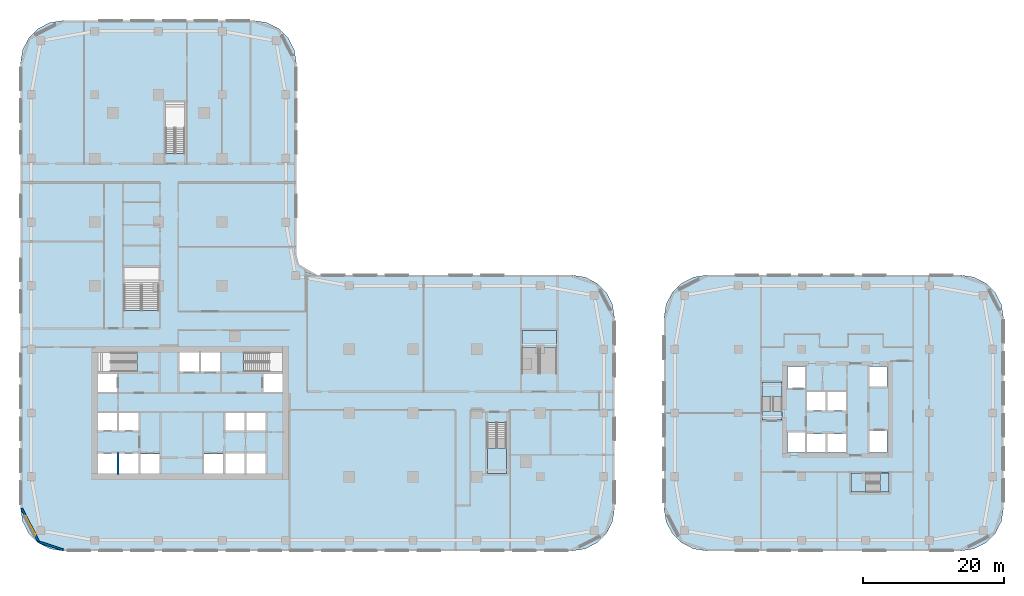
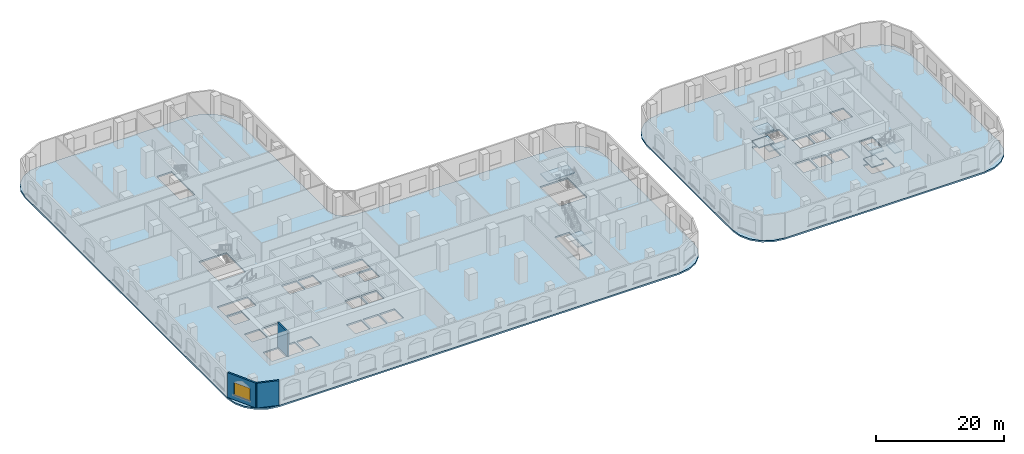
# One storey, part 2 of 31: 10 slabs, 3 walls, 1 window, 1 opening, 4 elements without a shape of their own.
"""IFC4 building model written with IfcOpenShell, lengths in metres."""

import ifcopenshell
import ifcopenshell.guid

model = None  # the IFC model being written
_history = None  # IfcOwnerHistory: only IFC2X3 demands one
_inside = {}  # id of a spatial element -> (the spatial element, [elements in it])
_under = {}  # id of a project, library or spatial element -> (it, [spatial elements below it])
_declared = {}  # id of a project -> (the project, [libraries it declares])
_typed = {}  # id of a type object -> (the type object, [elements of that type])
_made_of = {}  # id of a material, layer set ... -> (it, [elements and type objects made of it])


def new_model(schema):
    """Start an empty IFC model of exactly this schema.

    Asked for "IFC4X3", IfcOpenShell would pick the latest addendum, in which some entities
    have other attributes; the version numbers below select the first issue.
    IFC2X3 requires an IfcOwnerHistory on every rooted entity: one is made here for all.
    """
    global model, _history
    if schema == "IFC4X3":
        model = ifcopenshell.file(schema_version=(4, 3, 0, 0))
    else:
        model = ifcopenshell.file(schema=schema)
    _inside.clear()
    _under.clear()
    _declared.clear()
    _typed.clear()
    _made_of.clear()
    _history = None
    if model.schema == "IFC2X3":
        org = make("IfcOrganization", Name="unknown")
        user = make(
            "IfcPersonAndOrganization",
            ThePerson=make("IfcPerson", FamilyName="unknown"),
            TheOrganization=org,
        )
        app = make(
            "IfcApplication",
            ApplicationDeveloper=org,
            Version="unknown",
            ApplicationFullName="unknown",
            ApplicationIdentifier="unknown",
        )
        _history = make(
            "IfcOwnerHistory",
            OwningUser=user,
            OwningApplication=app,
            ChangeAction="ADDED",
            CreationDate=0,
        )
    return model


def make(cls, **values):
    """One entity of the class cls with the attributes given. An attribute that is None is left unset."""
    return model.create_entity(
        cls, **{name: value for name, value in values.items() if value is not None}
    )


def rooted(cls, **values):
    """An entity with a GlobalId (a new one), such as an element, a storey or a relation."""
    return make(cls, GlobalId=ifcopenshell.guid.new(), OwnerHistory=_history, **values)


def si_unit(unit_type, name, prefix=None):
    """IfcSIUnit, for example si_unit("LENGTHUNIT", "METRE", prefix="MILLI")."""
    return make("IfcSIUnit", UnitType=unit_type, Prefix=prefix, Name=name)


def assignment(units):
    """IfcUnitAssignment: the units of a project."""
    return None if units is None else make("IfcUnitAssignment", Units=units)


def point(xyz):
    """IfcCartesianPoint."""
    return None if xyz is None else make("IfcCartesianPoint", Coordinates=xyz)


def direction(xyz):
    """IfcDirection."""
    return None if xyz is None else make("IfcDirection", DirectionRatios=xyz)


def frame(location, z_axis=None, x_axis=None):
    """IfcAxis2Placement3D, a coordinate frame: its origin and axes. An axis left out is left unset."""
    return make(
        "IfcAxis2Placement3D",
        Location=point(location),
        Axis=direction(z_axis),
        RefDirection=direction(x_axis),
    )


def frame_2d(location, x_axis=None):
    """IfcAxis2Placement2D, a coordinate frame in the plane: its origin and x axis."""
    return make(
        "IfcAxis2Placement2D", Location=point(location), RefDirection=direction(x_axis)
    )


def origin():
    """The frame at (0, 0, 0) with its axes left unset."""
    return frame((0.0, 0.0, 0.0))


def place(relative_to, where):
    """IfcLocalPlacement: puts the frame where relative to a parent placement (None: the world)."""
    return make(
        "IfcLocalPlacement", PlacementRelTo=relative_to, RelativePlacement=where
    )


def context(
    kind, dimensions, precision=None, world=None, true_north=None, identifier=None
):
    """IfcGeometricRepresentationContext, for example the 3D "Model" context."""
    return make(
        "IfcGeometricRepresentationContext",
        ContextIdentifier=identifier,
        ContextType=kind,
        CoordinateSpaceDimension=dimensions,
        Precision=precision,
        WorldCoordinateSystem=world,
        TrueNorth=true_north,
    )


def subcontext(parent, identifier, kind, view, scale=None):
    """IfcGeometricRepresentationSubContext, for example "Body" below "Model"."""
    return make(
        "IfcGeometricRepresentationSubContext",
        ContextIdentifier=identifier,
        ContextType=kind,
        ParentContext=parent,
        TargetScale=scale,
        TargetView=view,
    )


def project(units=None, contexts=None):
    """IfcProject with its units and contexts."""
    return rooted(
        "IfcProject",
        Name="project",
        RepresentationContexts=contexts,
        UnitsInContext=assignment(units),
    )


def spatial(cls, under=None, at=None, **own):
    """A site, building, storey or space (cls), placed at a placement, below another one or the project."""
    s = rooted(cls, ObjectPlacement=at, **own)
    if under is not None:
        _under.setdefault(under.id(), (under, []))[1].append(s)
    return s


def polyline(points):
    """IfcPolyline through the points."""
    return make("IfcPolyline", Points=[point(p) for p in points])


def profile(cls, at=None, kind="AREA", **sizes):
    """A parametric profile (cls). Its sizes go by their IFC names, for example OverallWidth=200.0."""
    return make(cls, ProfileType=kind, Position=at, **sizes)


def rectangle(**sizes):
    """IfcRectangleProfileDef."""
    return profile("IfcRectangleProfileDef", **sizes)


def outline(outer, holes=None, kind="AREA"):
    """IfcArbitraryClosedProfileDef: a profile drawn as a closed curve; with holes, ...WithVoids."""
    if holes is None:
        return make("IfcArbitraryClosedProfileDef", ProfileType=kind, OuterCurve=outer)
    return make(
        "IfcArbitraryProfileDefWithVoids",
        ProfileType=kind,
        OuterCurve=outer,
        InnerCurves=holes,
    )


def extrude(swept, where, along, depth):
    """IfcExtrudedAreaSolid: the profile swept, set in the frame where, extruded along a direction by depth."""
    return make(
        "IfcExtrudedAreaSolid",
        SweptArea=swept,
        Position=where,
        ExtrudedDirection=direction(along),
        Depth=depth,
    )


def shape(context_of_items, identifier, shape_type, items):
    """IfcShapeRepresentation: the items that make up one representation, for example the "Body"."""
    return make(
        "IfcShapeRepresentation",
        ContextOfItems=context_of_items,
        RepresentationIdentifier=identifier,
        RepresentationType=shape_type,
        Items=items,
    )


def material(Name=None, Category=None):
    """IfcMaterial."""
    return make("IfcMaterial", Name=Name, Category=Category)


def layer(
    of_material, thickness, ventilated=None, Name=None, Category=None, Priority=None
):
    """IfcMaterialLayer: one layer of a wall or slab, of a material (None: an air gap)."""
    return make(
        "IfcMaterialLayer",
        Material=of_material,
        LayerThickness=thickness,
        IsVentilated=ventilated,
        Name=Name,
        Category=Category,
        Priority=Priority,
    )


def layer_set(layers, Name=None):
    """IfcMaterialLayerSet."""
    return make("IfcMaterialLayerSet", MaterialLayers=layers, LayerSetName=Name)


def made_of(thing, what):
    """Note that an element or type object is made of a material, layer set ...; save() writes the relation."""
    if what is not None:
        _made_of.setdefault(what.id(), (what, []))[1].append(thing)
    return thing


def type_object(cls, material=None, **own):
    """A type object (cls), such as IfcWallType, which elements share."""
    return made_of(rooted(cls, **own), material)


def element(
    cls,
    number,
    at=None,
    inside=None,
    cuts=None,
    type_object=None,
    material=None,
    context=None,
    identifier="Body",
    shape_type=None,
    held_by="IfcProductDefinitionShape",
    body=None,
    shapes=None,
    **own,
):
    """One element of the class cls, such as IfcWall. Its Tag is "e" and its number.

    at: its placement. inside: the storey or other place that contains it. cuts: it is an
    opening in that element (IfcRelVoidsElement). A single representation is given by context,
    identifier, shape_type and body (its items); several are given by shapes. held_by: the class
    of the entity that holds the representations. save() writes the other relations.
    """
    e = rooted(cls, Tag="e%d" % number, ObjectPlacement=at, **own)
    if body is not None:
        shapes = [shape(context, identifier, shape_type, body)]
    if shapes is not None:
        e.Representation = make(held_by, Representations=shapes)
    if inside is not None:
        _inside.setdefault(inside.id(), (inside, []))[1].append(e)
    if cuts is not None:
        rooted(
            "IfcRelVoidsElement", RelatingBuildingElement=cuts, RelatedOpeningElement=e
        )
    if type_object is not None:
        _typed.setdefault(type_object.id(), (type_object, []))[1].append(e)
    return made_of(e, material)


def fill(opening, filler):
    """IfcRelFillsElement: the door or window that sits in an opening."""
    return rooted(
        "IfcRelFillsElement",
        RelatingOpeningElement=opening,
        RelatedBuildingElement=filler,
    )


def aggregate(whole, parts):
    """IfcRelAggregates: a whole, such as a stair, and the parts it consists of."""
    return rooted("IfcRelAggregates", RelatingObject=whole, RelatedObjects=parts)


def save(model, path):
    """Write the relations noted so far, then the file.

    IfcRelAggregates (storeys below a building ...), IfcRelContainedInSpatialStructure (elements
    in a storey), IfcRelDefinesByType, IfcRelAssociatesMaterial and IfcRelDeclares: one each for
    every whole, place, type object, material and project.
    """
    for whole, parts in _under.values():
        aggregate(whole, parts)
    for where, things in _inside.values():
        rooted(
            "IfcRelContainedInSpatialStructure",
            RelatedElements=things,
            RelatingStructure=where,
        )
    for kind, things in _typed.values():
        rooted("IfcRelDefinesByType", RelatedObjects=things, RelatingType=kind)
    for what, things in _made_of.values():
        rooted("IfcRelAssociatesMaterial", RelatedObjects=things, RelatingMaterial=what)
    for by, libraries in _declared.values():
        rooted("IfcRelDeclares", RelatingContext=by, RelatedDefinitions=libraries)
    model.write(path)


model = new_model("IFC4")

# Units and contexts
model_context = context("Model", 3, precision=1e-05, world=origin(), true_north=direction((0.0, 1.0)))
body_context = subcontext(model_context, "Body", "Model", "MODEL_VIEW")
ifc_project = project(units=[si_unit("LENGTHUNIT", "METRE"), si_unit("AREAUNIT", "SQUARE_METRE"), si_unit("VOLUMEUNIT", "CUBIC_METRE"), si_unit("PLANEANGLEUNIT", "RADIAN"), si_unit("MASSUNIT", "GRAM", prefix="KILO")], contexts=[model_context])

# Site, building, storey
site_placement = place(None, origin())
site = spatial("IfcSite", under=ifc_project, at=site_placement, CompositionType="ELEMENT")
building_placement = place(site_placement, origin())
building = spatial("IfcBuilding", under=site, at=building_placement, Name="Ogive Portal Towers", CompositionType="ELEMENT")
storey_placement = place(building_placement, frame((0.0, 0.0, 13.5)))
storey = spatial("IfcBuildingStorey", under=building, at=storey_placement, Name="L02", CompositionType="ELEMENT", Elevation=13.5)

# Stair, slab
ifc_material_1 = material(Name="Concrete C40/50", Category="concrete")
stair_type = type_object("IfcStairType", Name="INT-STAIR", PredefinedType="HALF_TURN_STAIR", material=ifc_material_1)
stair_1_placement = place(storey_placement, origin())
stair_1 = element("IfcStair", 1, at=stair_1_placement, inside=storey, type_object=stair_type, Name="L02 Exit Stair ST-A4", PredefinedType="HALF_TURN_STAIR")
ifc_layer_1 = layer(ifc_material_1, 0.199951171875)
ifc_layer_set_1 = layer_set([ifc_layer_1], Name="INT-LANDING")
slab_type_1 = type_object("IfcSlabType", Name="INT-LANDING", PredefinedType="LANDING", material=ifc_layer_set_1)
slab_1_placement = place(storey_placement, frame((0.0, 0.0, 2.300048828125)))
slab_1 = element("IfcSlab", 2, at=slab_1_placement, type_object=slab_type_1, Name="ST-A4 landing 1", PredefinedType="LANDING", context=body_context, shape_type="SweptSolid", body=[
    extrude(outline(polyline([(87.0, 25.530029296875), (87.0, 21.949951171875), (89.699951171875, 21.949951171875), (89.699951171875, 25.530029296875), (87.0, 25.530029296875)])), origin(), (0.0, 0.0, 1.0), 0.199951171875),
])
aggregate(stair_1, [slab_1])

# Stair, slabs
stair_2_placement = place(storey_placement, origin())
stair_2 = element("IfcStair", 3, at=stair_2_placement, inside=storey, type_object=stair_type, Name="L02 Exit Stair ST-B1", PredefinedType="HALF_TURN_STAIR")
slab_2_placement = place(storey_placement, frame((0.0, 0.0, 1.050048828125)))
slab_2 = element("IfcSlab", 4, at=slab_2_placement, type_object=slab_type_1, Name="ST-B1 landing 1", PredefinedType="LANDING", context=body_context, shape_type="SweptSolid", body=[
    extrude(outline(polyline([(128.699951171875, 32.760009765625), (128.699951171875, 34.89990234375), (125.85009765625, 34.89990234375), (125.85009765625, 32.760009765625), (128.699951171875, 32.760009765625)])), origin(), (0.0, 0.0, 1.0), 0.199951171875),
])
slab_3_placement = place(storey_placement, frame((0.0, 0.0, 2.300048828125)))
slab_3 = element("IfcSlab", 5, at=slab_3_placement, type_object=slab_type_1, Name="ST-B1 landing 2", PredefinedType="LANDING", context=body_context, shape_type="SweptSolid", body=[
    extrude(outline(polyline([(128.699951171875, 29.5), (128.699951171875, 30.800048828125), (125.85009765625, 30.800048828125), (125.85009765625, 29.5), (128.699951171875, 29.5)])), origin(), (0.0, 0.0, 1.0), 0.199951171875),
])
slab_4_placement = place(storey_placement, frame((0.0, 0.0, 3.550048828125)))
slab_4 = element("IfcSlab", 6, at=slab_4_placement, type_object=slab_type_1, Name="ST-B1 landing 3", PredefinedType="LANDING", context=body_context, shape_type="SweptSolid", body=[
    extrude(outline(polyline([(128.699951171875, 32.760009765625), (128.699951171875, 34.89990234375), (125.85009765625, 34.89990234375), (125.85009765625, 32.760009765625), (128.699951171875, 32.760009765625)])), origin(), (0.0, 0.0, 1.0), 0.199951171875),
])
aggregate(stair_2, [slab_2, slab_3, slab_4])

stair_3_placement = place(storey_placement, origin())
stair_3 = element("IfcStair", 7, at=stair_3_placement, inside=storey, type_object=stair_type, Name="L02 Exit Stair ST-B2", PredefinedType="HALF_TURN_STAIR")
slab_5_placement = place(storey_placement, frame((0.0, 0.0, 1.050048828125)))
slab_5 = element("IfcSlab", 8, at=slab_5_placement, type_object=slab_type_1, Name="ST-B2 landing 1", PredefinedType="LANDING", context=body_context, shape_type="SweptSolid", body=[
    extrude(outline(polyline([(140.590087890625, 22.0), (138.449951171875, 22.0), (138.449951171875, 19.300048828125), (140.590087890625, 19.300048828125), (140.590087890625, 22.0)])), origin(), (0.0, 0.0, 1.0), 0.199951171875),
])
slab_6_placement = place(storey_placement, frame((0.0, 0.0, 2.300048828125)))
slab_6 = element("IfcSlab", 9, at=slab_6_placement, type_object=slab_type_1, Name="ST-B2 landing 2", PredefinedType="LANDING", context=body_context, shape_type="SweptSolid", body=[
    extrude(outline(polyline([(143.85009765625, 22.0), (142.550048828125, 22.0), (142.550048828125, 19.300048828125), (143.85009765625, 19.300048828125), (143.85009765625, 22.0)])), origin(), (0.0, 0.0, 1.0), 0.199951171875),
])
slab_7_placement = place(storey_placement, frame((0.0, 0.0, 3.550048828125)))
slab_7 = element("IfcSlab", 10, at=slab_7_placement, type_object=slab_type_1, Name="ST-B2 landing 3", PredefinedType="LANDING", context=body_context, shape_type="SweptSolid", body=[
    extrude(outline(polyline([(140.590087890625, 22.0), (138.449951171875, 22.0), (138.449951171875, 19.300048828125), (140.590087890625, 19.300048828125), (140.590087890625, 22.0)])), origin(), (0.0, 0.0, 1.0), 0.199951171875),
])
aggregate(stair_3, [slab_5, slab_6, slab_7])

# Stair, slab
stair_4_placement = place(storey_placement, origin())
stair_4 = element("IfcStair", 11, at=stair_4_placement, inside=storey, type_object=stair_type, Name="L02 Exit Stair ST-P1", PredefinedType="HALF_TURN_STAIR")
slab_8_placement = place(storey_placement, frame((0.0, 0.0, 2.300048828125)))
slab_8 = element("IfcSlab", 12, at=slab_8_placement, type_object=slab_type_1, Name="ST-P1 landing 1", PredefinedType="LANDING", context=body_context, shape_type="SweptSolid", body=[
    extrude(outline(polyline([(96.800048828125, 39.68994140625), (96.800048828125, 42.14990234375), (91.89990234375, 42.14990234375), (91.89990234375, 39.68994140625), (96.800048828125, 39.68994140625)])), origin(), (0.0, 0.0, 1.0), 0.199951171875),
])
aggregate(stair_4, [slab_8])

# Slabs
ifc_material_2 = material(Name="Concrete C45/55", Category="concrete")
ifc_layer_2 = layer(ifc_material_2, 0.300048828125)
ifc_layer_set_2 = layer_set([ifc_layer_2], Name="PT FLAT PLATE 300")
slab_type_2 = type_object("IfcSlabType", Name="PT FLAT PLATE 300", PredefinedType="FLOOR", material=ifc_layer_set_2)
slab_9_placement = place(storey_placement, frame((0.0, 0.0, -0.300048828125)))
element("IfcSlab", 13, at=slab_9_placement, inside=storey, type_object=slab_type_2, Name="Floor slab L02", PredefinedType="FLOOR", context=body_context, shape_type="SweptSolid", body=[
    extrude(outline(polyline([(21.0, 80.0), (21.0, 17.0), (21.293701171875, 15.14599609375), (22.14599609375, 13.473388671875), (23.473388671875, 12.14599609375), (25.14599609375, 11.293701171875), (27.0, 11.0), (99.0, 11.0), (100.85400390625, 11.293701171875), (102.526611328125, 12.14599609375), (103.85400390625, 13.473388671875), (104.706298828125, 15.14599609375), (105.0, 17.0), (105.0, 44.0), (104.706298828125, 45.85400390625), (103.85400390625, 47.526611328125), (102.526611328125, 48.85400390625), (100.85400390625, 49.706298828125), (99.0, 50.0), (63.0, 50.0), (61.5, 50.40185546875), (60.40185546875, 51.5), (60.0, 53.0), (60.0, 80.0), (59.706298828125, 81.85400390625), (58.85400390625, 83.526611328125), (57.526611328125, 84.85400390625), (55.85400390625, 85.706298828125), (54.0, 86.0), (27.0, 86.0), (25.14599609375, 85.706298828125), (23.473388671875, 84.85400390625), (22.14599609375, 83.526611328125), (21.293701171875, 81.85400390625), (21.0, 80.0)]), holes=[polyline([(34.64990234375, 24.75), (34.64990234375, 21.949951171875), (31.949951171875, 21.949951171875), (31.949951171875, 24.75), (34.64990234375, 24.75)]), polyline([(37.64990234375, 24.75), (37.64990234375, 21.949951171875), (34.949951171875, 21.949951171875), (34.949951171875, 24.75), (37.64990234375, 24.75)]), polyline([(40.6298828125, 21.969970703125), (37.969970703125, 21.969970703125), (37.969970703125, 24.72998046875), (40.6298828125, 24.72998046875), (40.6298828125, 21.969970703125)]), polyline([(34.64990234375, 28.050048828125), (31.949951171875, 28.050048828125), (31.949951171875, 30.5), (34.64990234375, 30.5), (34.64990234375, 28.050048828125)]), polyline([(37.64990234375, 28.050048828125), (34.949951171875, 28.050048828125), (34.949951171875, 30.5), (37.64990234375, 30.5), (37.64990234375, 28.050048828125)]), polyline([(34.64990234375, 36.050048828125), (34.64990234375, 33.5), (31.949951171875, 33.5), (31.949951171875, 36.050048828125), (34.64990234375, 36.050048828125)]), polyline([(37.447998046875, 39.048095703125), (37.447998046875, 36.35205078125), (31.951904296875, 36.35205078125), (31.951904296875, 39.048095703125), (37.447998046875, 39.048095703125)]), polyline([(46.199951171875, 36.35009765625), (43.5, 36.35009765625), (43.5, 39.050048828125), (46.199951171875, 39.050048828125), (46.199951171875, 36.35009765625)]), polyline([(49.199951171875, 39.050048828125), (49.199951171875, 36.35009765625), (46.5, 36.35009765625), (46.5, 39.050048828125), (49.199951171875, 39.050048828125)]), polyline([(40.548095703125, 45.001953125), (35.652099609375, 45.001953125), (35.652099609375, 51.097900390625), (40.548095703125, 51.097900390625), (40.548095703125, 45.001953125)]), polyline([(44.197998046875, 67.201904296875), (41.501953125, 67.201904296875), (41.501953125, 74.447998046875), (44.197998046875, 74.447998046875), (44.197998046875, 67.201904296875)]), polyline([(49.6298828125, 21.969970703125), (46.969970703125, 21.969970703125), (46.969970703125, 24.72998046875), (49.6298828125, 24.72998046875), (49.6298828125, 21.969970703125)]), polyline([(52.64990234375, 24.75), (52.64990234375, 21.949951171875), (49.949951171875, 21.949951171875), (49.949951171875, 24.75), (52.64990234375, 24.75)]), polyline([(55.64990234375, 21.949951171875), (52.949951171875, 21.949951171875), (52.949951171875, 24.75), (55.64990234375, 24.75), (55.64990234375, 21.949951171875)]), polyline([(87.001953125, 29.16796875), (89.697998046875, 29.16796875), (89.697998046875, 21.951904296875), (87.001953125, 21.951904296875), (87.001953125, 29.16796875)]), polyline([(52.64990234375, 30.5), (52.64990234375, 28.050048828125), (49.949951171875, 28.050048828125), (49.949951171875, 30.5), (52.64990234375, 30.5)]), polyline([(55.64990234375, 28.050048828125), (52.949951171875, 28.050048828125), (52.949951171875, 30.5), (55.64990234375, 30.5), (55.64990234375, 28.050048828125)]), polyline([(58.050048828125, 36.050048828125), (58.050048828125, 33.5), (55.35009765625, 33.5), (55.35009765625, 36.050048828125), (58.050048828125, 36.050048828125)]), polyline([(52.552001953125, 36.35205078125), (52.552001953125, 39.048095703125), (58.048095703125, 39.048095703125), (58.048095703125, 36.35205078125), (52.552001953125, 36.35205078125)]), polyline([(96.798095703125, 36.052001953125), (91.902099609375, 36.052001953125), (91.902099609375, 42.14794921875), (96.798095703125, 42.14794921875), (96.798095703125, 36.052001953125)])]), origin(), (0.0, 0.0, 1.0), 0.300048828125),
])
slab_10_placement = place(storey_placement, frame((0.0, 0.0, -0.300048828125)))
element("IfcSlab", 14, at=slab_10_placement, inside=storey, type_object=slab_type_2, Name="Floor slab L02", PredefinedType="FLOOR", context=body_context, shape_type="SweptSolid", body=[
    extrude(outline(polyline([(112.0, 44.0), (112.0, 17.0), (112.293701171875, 15.14599609375), (113.14599609375, 13.473388671875), (114.473388671875, 12.14599609375), (116.14599609375, 11.293701171875), (118.0, 11.0), (154.0, 11.0), (155.85400390625, 11.293701171875), (157.526611328125, 12.14599609375), (158.85400390625, 13.473388671875), (159.706298828125, 15.14599609375), (160.0, 17.0), (160.0, 44.0), (159.706298828125, 45.85400390625), (158.85400390625, 47.526611328125), (157.526611328125, 48.85400390625), (155.85400390625, 49.706298828125), (154.0, 50.0), (118.0, 50.0), (116.14599609375, 49.706298828125), (114.473388671875, 48.85400390625), (113.14599609375, 47.526611328125), (112.293701171875, 45.85400390625), (112.0, 44.0)]), holes=[polyline([(128.697998046875, 34.89794921875), (128.697998046875, 30.802001953125), (125.85205078125, 30.802001953125), (125.85205078125, 34.89794921875), (128.697998046875, 34.89794921875)]), polyline([(131.949951171875, 37.050048828125), (131.949951171875, 34.050048828125), (129.449951171875, 34.050048828125), (129.449951171875, 37.050048828125), (131.949951171875, 37.050048828125)]), polyline([(138.451904296875, 21.998046875), (142.548095703125, 21.998046875), (142.548095703125, 19.302001953125), (138.451904296875, 19.302001953125), (138.451904296875, 21.998046875)]), polyline([(134.85009765625, 27.550048828125), (134.85009765625, 24.949951171875), (132.25, 24.949951171875), (132.25, 27.550048828125), (134.85009765625, 27.550048828125)]), polyline([(137.75, 27.550048828125), (137.75, 24.949951171875), (135.14990234375, 24.949951171875), (135.14990234375, 27.550048828125), (137.75, 27.550048828125)]), polyline([(131.949951171875, 27.75), (131.949951171875, 24.949951171875), (129.449951171875, 24.949951171875), (129.449951171875, 27.75), (131.949951171875, 27.75)]), polyline([(143.550048828125, 27.949951171875), (143.550048828125, 24.949951171875), (141.050048828125, 24.949951171875), (141.050048828125, 27.949951171875), (143.550048828125, 27.949951171875)]), polyline([(134.85009765625, 33.449951171875), (134.85009765625, 30.85009765625), (132.25, 30.85009765625), (132.25, 33.449951171875), (134.85009765625, 33.449951171875)]), polyline([(137.75, 33.449951171875), (137.75, 30.85009765625), (135.14990234375, 30.85009765625), (135.14990234375, 33.449951171875), (137.75, 33.449951171875)]), polyline([(143.550048828125, 37.050048828125), (143.550048828125, 34.25), (141.050048828125, 34.25), (141.050048828125, 37.050048828125), (143.550048828125, 37.050048828125)])]), origin(), (0.0, 0.0, 1.0), 0.300048828125),
])

# Wall, opening, window
ifc_material_3 = material(Name="Limestone cladding on lightweight block wall", Category="masonry")
ifc_layer_3 = layer(ifc_material_3, 0.300048828125)
ifc_layer_set_3 = layer_set([ifc_layer_3], Name="EXTERNAL WALL 300 STONE")
wall_type_1 = type_object("IfcWallType", Name="EXTERNAL WALL 300 STONE", PredefinedType="SOLIDWALL", material=ifc_layer_set_3)
wall_1_placement = place(storey_placement, frame((21.166259765625, 17.00390625, 0.0), z_axis=(0.0, 0.0, 1.0), x_axis=(0.454006562826, -0.890998339455, 0.0)))
wall_1 = element("IfcWall", 15, at=wall_1_placement, inside=storey, type_object=wall_type_1, Name="A:L02:f00:w0", PredefinedType="SOLIDWALL", context=body_context, shape_type="SweptSolid", body=[
    extrude(rectangle(XDim=5.251708984375, YDim=0.300048828125, at=frame_2d((2.6259765625, 0.0))), origin(), (0.0, 0.0, 1.0), 4.699951171875),
])
opening_placement = place(wall_1_placement, frame((1.223876953125, 0.0, 0.89990234375)))
opening = element("IfcOpeningElement", 16, at=opening_placement, cuts=wall_1, Name="Opening WN3", PredefinedType="OPENING", context=body_context, shape_type="SweptSolid", body=[
    extrude(rectangle(XDim=3.0, YDim=2.39990234375, at=frame_2d((1.5, 1.199951171875))), frame((0.0, 0.16015625, 0.0), z_axis=(0.0, -1.0, 0.0), x_axis=(1.0, 0.0, 0.0)), (0.0, 0.0, 1.0), 0.320068359375),
])
ifc_material_4 = material(Name="Glass, clear low-iron insulated glazing", Category="glass")
window_type = type_object("IfcWindowType", Name="WINDOW PODIUM 3000x2400", PartitioningType="SINGLE_PANEL", PredefinedType="WINDOW", material=ifc_material_4)
window_placement = place(opening_placement, origin())
window = element("IfcWindow", 17, at=window_placement, inside=storey, type_object=window_type, Name="A:L02:f00:w0:o0", OverallHeight=2.39990234375, OverallWidth=3.0, PartitioningType="SINGLE_PANEL", PredefinedType="WINDOW", context=body_context, shape_type="SweptSolid", body=[
    extrude(rectangle(XDim=3.0, YDim=2.39990234375, at=frame_2d((1.5, 1.199951171875))), frame((0.0, 0.030029296875, 0.0), z_axis=(0.0, -1.0, 0.0), x_axis=(1.0, 0.0, 0.0)), (0.0, 0.0, 1.0), 0.06005859375),
])
fill(opening, window)

# Walls
wall_2_placement = place(storey_placement, frame((23.637939453125, 12.250244140625, 0.0), z_axis=(0.0, 0.0, 1.0), x_axis=(0.951038127287, -0.309073584194, 0.0)))
element("IfcWall", 18, at=wall_2_placement, inside=storey, type_object=wall_type_1, Name="A:L02:f01:w0", PredefinedType="SOLIDWALL", context=body_context, shape_type="SweptSolid", body=[
    extrude(rectangle(XDim=3.536376953125, YDim=0.300048828125, at=frame_2d((1.76806640625, 0.0))), origin(), (0.0, 0.0, 1.0), 4.699951171875),
])
ifc_layer_4 = layer(ifc_material_1, 0.300048828125)
ifc_layer_set_4 = layer_set([ifc_layer_4], Name="WT-SHAFT-300")
wall_type_2 = type_object("IfcWallType", Name="WT-SHAFT-300", PredefinedType="SOLIDWALL", material=ifc_layer_set_4)
wall_3_placement = place(storey_placement, frame((34.800048828125, 21.800048828125, 0.0), z_axis=(0.0, 0.0, 1.0), x_axis=(0.0, 1.0, 0.0)))
element("IfcWall", 19, at=wall_3_placement, inside=storey, type_object=wall_type_2, Name="Wall pw:010:L02", PredefinedType="SOLIDWALL", context=body_context, shape_type="SweptSolid", body=[
    extrude(rectangle(XDim=3.099853515625, YDim=0.300048828125, at=frame_2d((1.5498046875, 0.0))), origin(), (0.0, 0.0, 1.0), 4.699951171875),
])

save(model, "model.ifc")
